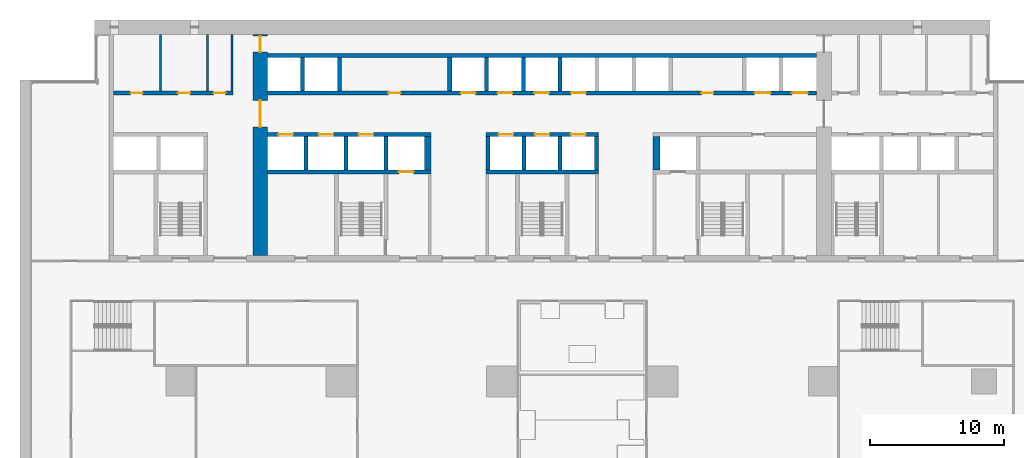
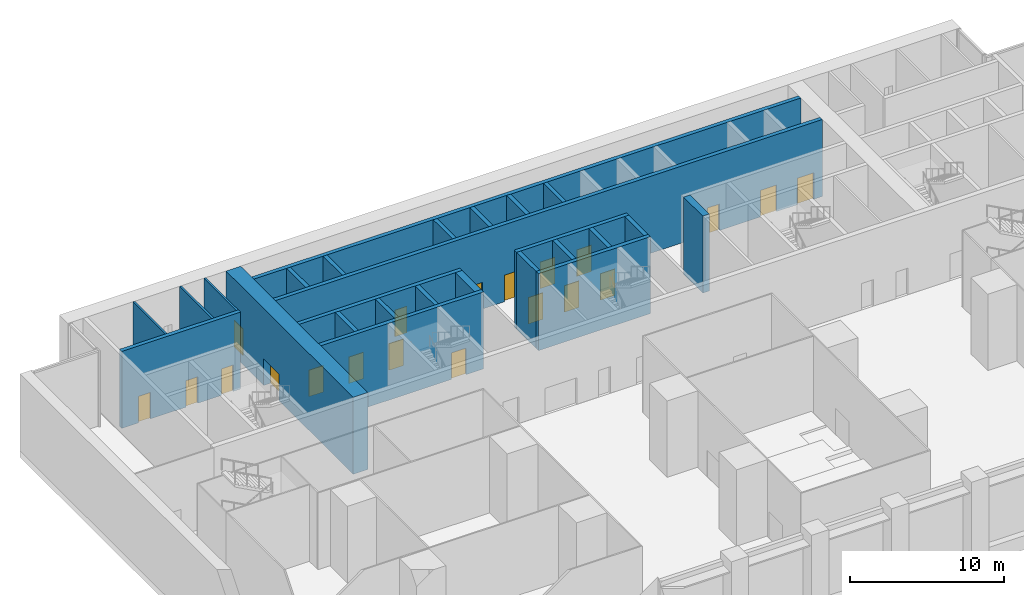
# One storey, part 9 of 18: 26 walls, 20 doors, 20 openings.
"""IFC4 building model written with IfcOpenShell, lengths in metres."""

from ifc_helpers import new_model, si_unit, direction, frame, frame_2d, origin, place, context, subcontext, project, spatial, rectangle, extrude, material, layer, layer_set, type_object, element, fill, save


model = new_model("IFC4")

# Units and contexts
model_context = context("Model", 3, precision=1e-05, world=origin(), true_north=direction((0.0, 1.0)))
body_context = subcontext(model_context, "Body", "Model", "MODEL_VIEW")
ifc_project = project(units=[si_unit("LENGTHUNIT", "METRE"), si_unit("AREAUNIT", "SQUARE_METRE"), si_unit("VOLUMEUNIT", "CUBIC_METRE"), si_unit("PLANEANGLEUNIT", "RADIAN"), si_unit("MASSUNIT", "GRAM", prefix="KILO")], contexts=[model_context])

# Site, building, storey
site_placement = place(None, origin())
site = spatial("IfcSite", under=ifc_project, at=site_placement, CompositionType="ELEMENT")
building_placement = place(site_placement, origin())
building = spatial("IfcBuilding", under=site, at=building_placement, Name="Calvaro Tower", CompositionType="ELEMENT")
storey_placement = place(building_placement, frame((0.0, 0.0, 11.300048828125)))
storey = spatial("IfcBuildingStorey", under=building, at=storey_placement, Name="L02", CompositionType="ELEMENT", Elevation=11.300048828125)

# Walls
ifc_material_1 = material(Name="Blockwork partition", Category="masonry")
ifc_layer_1 = layer(ifc_material_1, 0.14990234375)
ifc_layer_set_1 = layer_set([ifc_layer_1], Name="Blockwork partition")
wall_type_1 = type_object("IfcWallType", Name="Core partition 150 EI 60", PredefinedType="PARTITIONING", material=ifc_layer_set_1)
for number, where, z_axis, x_axis, name in (
    (1, (10.5, 40.699951171875, 0.0), (0.0, 0.0, 1.0), (0.0, 1.0, 0.0), "Core partition"),
    (2, (14.0, 40.699951171875, 0.0), (0.0, 0.0, 1.0), (0.0, 1.0, 0.0), "Core partition"),
):
    element("IfcWall", number, at=place(storey_placement, frame(where, z_axis=z_axis, x_axis=x_axis)), inside=storey, type_object=wall_type_1, Name=name, PredefinedType="PARTITIONING", context=body_context, shape_type="SweptSolid", body=[
        extrude(rectangle(XDim=4.199951171875, YDim=0.14990234375, at=frame_2d((2.10009765625, 0.0))), origin(), (0.0, 0.0, 1.0), 6.099853515625),
    ])
ifc_material_2 = material(Name="Blockwork partition", Category="masonry")
ifc_layer_2 = layer(ifc_material_2, 0.14990234375)
ifc_layer_set_2 = layer_set([ifc_layer_2], Name="Blockwork partition")
wall_type_2 = type_object("IfcWallType", Name="Core partition 150 REI 120", PredefinedType="PARTITIONING", material=ifc_layer_set_2)
wall_1_placement = place(storey_placement, frame((15.824951171875, 40.699951171875, 0.0), z_axis=(0.0, 0.0, 1.0), x_axis=(0.0, 1.0, 0.0)))
element("IfcWall", 3, at=wall_1_placement, inside=storey, type_object=wall_type_2, Name="Core partition", PredefinedType="PARTITIONING", context=body_context, shape_type="SweptSolid", body=[
    extrude(rectangle(XDim=4.199951171875, YDim=0.14990234375, at=frame_2d((2.10009765625, 0.0))), origin(), (0.0, 0.0, 1.0), 6.099853515625),
])

# Wall, openings, doors
ifc_material_3 = material(Name="Blockwork partition", Category="masonry")
ifc_layer_3 = layer(ifc_material_3, 0.300048828125)
ifc_layer_set_3 = layer_set([ifc_layer_3], Name="Blockwork partition")
wall_type_3 = type_object("IfcWallType", Name="Core partition 300 REI 120", PredefinedType="PARTITIONING", material=ifc_layer_set_3)
wall_2_placement = place(storey_placement, frame((7.0, 40.550048828125, 0.0), z_axis=(0.0, 0.0, 1.0), x_axis=(1.0, 0.0, 0.0)))
wall_2 = element("IfcWall", 4, at=wall_2_placement, inside=storey, type_object=wall_type_3, Name="Core partition", PredefinedType="PARTITIONING", context=body_context, shape_type="SweptSolid", body=[
    extrude(rectangle(XDim=8.89990234375, YDim=0.300048828125, at=frame_2d((4.449951171875, 0.0))), origin(), (0.0, 0.0, 1.0), 6.099853515625),
])
opening_1_placement = place(wall_2_placement, frame((1.262451171875, 0.0, 0.0)))
opening_1 = element("IfcOpeningElement", 5, at=opening_1_placement, cuts=wall_2, Name="Opening RD9", PredefinedType="OPENING", context=body_context, shape_type="SweptSolid", body=[
    extrude(rectangle(XDim=0.89990234375, YDim=2.10009765625, at=frame_2d((0.449951171875, 1.050048828125))), frame((0.0, 0.159912109375, 0.0), z_axis=(0.0, -1.0, 0.0), x_axis=(1.0, 0.0, 0.0)), (0.0, 0.0, 1.0), 0.320068359375),
])
opening_2_placement = place(wall_2_placement, frame((4.800048828125, 0.0, 0.0)))
opening_2 = element("IfcOpeningElement", 6, at=opening_2_placement, cuts=wall_2, Name="Opening RD9", PredefinedType="OPENING", context=body_context, shape_type="SweptSolid", body=[
    extrude(rectangle(XDim=0.89990234375, YDim=2.10009765625, at=frame_2d((0.449951171875, 1.050048828125))), frame((0.0, 0.159912109375, 0.0), z_axis=(0.0, -1.0, 0.0), x_axis=(1.0, 0.0, 0.0)), (0.0, 0.0, 1.0), 0.320068359375),
])
opening_3_placement = place(wall_2_placement, frame((7.46240234375, 0.0, 0.0)))
opening_3 = element("IfcOpeningElement", 7, at=opening_3_placement, cuts=wall_2, Name="Opening RD9", PredefinedType="OPENING", context=body_context, shape_type="SweptSolid", body=[
    extrude(rectangle(XDim=0.89990234375, YDim=2.10009765625, at=frame_2d((0.449951171875, 1.050048828125))), frame((0.0, 0.159912109375, 0.0), z_axis=(0.0, -1.0, 0.0), x_axis=(1.0, 0.0, 0.0)), (0.0, 0.0, 1.0), 0.320068359375),
])
ifc_material_4 = material(Name="Steel door set", Category="steel")
door_type_1 = type_object("IfcDoorType", Name="Room door 900", OperationType="SINGLE_SWING_LEFT", PredefinedType="DOOR", material=ifc_material_4)
door_1_placement = place(opening_1_placement, origin())
door_1 = element("IfcDoor", 8, at=door_1_placement, inside=storey, type_object=door_type_1, Name="Room door", OperationType="SINGLE_SWING_LEFT", OverallHeight=2.10009765625, OverallWidth=0.89990234375, PredefinedType="DOOR", context=body_context, shape_type="SweptSolid", body=[
    extrude(rectangle(XDim=0.89990234375, YDim=2.10009765625, at=frame_2d((0.449951171875, 1.050048828125))), frame((0.0, 0.02490234375, 0.0), z_axis=(0.0, -1.0, 0.0), x_axis=(1.0, 0.0, 0.0)), (0.0, 0.0, 1.0), 0.050048828125),
])
fill(opening_1, door_1)
door_2_placement = place(opening_2_placement, origin())
door_2 = element("IfcDoor", 9, at=door_2_placement, inside=storey, type_object=door_type_1, Name="Room door", OperationType="SINGLE_SWING_LEFT", OverallHeight=2.10009765625, OverallWidth=0.89990234375, PredefinedType="DOOR", context=body_context, shape_type="SweptSolid", body=[
    extrude(rectangle(XDim=0.89990234375, YDim=2.10009765625, at=frame_2d((0.449951171875, 1.050048828125))), frame((0.0, 0.02490234375, 0.0), z_axis=(0.0, -1.0, 0.0), x_axis=(1.0, 0.0, 0.0)), (0.0, 0.0, 1.0), 0.050048828125),
])
fill(opening_2, door_2)
door_3_placement = place(opening_3_placement, origin())
door_3 = element("IfcDoor", 10, at=door_3_placement, inside=storey, type_object=door_type_1, Name="Room door", OperationType="SINGLE_SWING_LEFT", OverallHeight=2.10009765625, OverallWidth=0.89990234375, PredefinedType="DOOR", context=body_context, shape_type="SweptSolid", body=[
    extrude(rectangle(XDim=0.89990234375, YDim=2.10009765625, at=frame_2d((0.449951171875, 1.050048828125))), frame((0.0, 0.02490234375, 0.0), z_axis=(0.0, -1.0, 0.0), x_axis=(1.0, 0.0, 0.0)), (0.0, 0.0, 1.0), 0.050048828125),
])
fill(opening_3, door_3)

ifc_material_5 = material(Name="Concrete C80/95", Category="concrete")
ifc_layer_4 = layer(ifc_material_5, 1.10009765625)
ifc_layer_set_4 = layer_set([ifc_layer_4], Name="Concrete C80/95")
wall_type_4 = type_object("IfcWallType", Name="Core wall C80/95 1100", PredefinedType="SHEAR", material=ifc_layer_set_4)
wall_3_placement = place(storey_placement, frame((17.949951171875, 28.39990234375, 0.0), z_axis=(0.0, 0.0, 1.0), x_axis=(0.0, 1.0, 0.0)))
wall_3 = element("IfcWall", 11, at=wall_3_placement, inside=storey, type_object=wall_type_4, Name="Core wall, cross shear wall", PredefinedType="SHEAR", context=body_context, shape_type="SweptSolid", body=[
    extrude(rectangle(XDim=16.5, YDim=1.10009765625, at=frame_2d((8.25, 0.0))), origin(), (0.0, 0.0, 1.0), 6.099853515625),
])
opening_4_placement = place(wall_3_placement, frame((9.60009765625, 0.0, 0.0)))
opening_4 = element("IfcOpeningElement", 12, at=opening_4_placement, cuts=wall_3, Name="Opening DD20D", PredefinedType="OPENING", context=body_context, shape_type="SweptSolid", body=[
    extrude(rectangle(XDim=2.0, YDim=2.10009765625, at=frame_2d((1.0, 1.050048828125))), frame((0.0, 0.56005859375, 0.0), z_axis=(0.0, -1.0, 0.0), x_axis=(1.0, 0.0, 0.0)), (0.0, 0.0, 1.0), 1.1201171875),
])
opening_5_placement = place(wall_3_placement, frame((15.199951171875, 0.0, 0.0)))
opening_5 = element("IfcOpeningElement", 13, at=opening_5_placement, cuts=wall_3, Name="Opening FD12C", PredefinedType="OPENING", context=body_context, shape_type="SweptSolid", body=[
    extrude(rectangle(XDim=1.199951171875, YDim=2.10009765625, at=frame_2d((0.60009765625, 1.050048828125))), frame((0.0, 0.56005859375, 0.0), z_axis=(0.0, -1.0, 0.0), x_axis=(1.0, 0.0, 0.0)), (0.0, 0.0, 1.0), 1.1201171875),
])
ifc_material_6 = material(Name="Steel door set", Category="steel")
door_type_2 = type_object("IfcDoorType", Name="Fire door 1200 FD30", OperationType="SINGLE_SWING_LEFT", PredefinedType="DOOR", material=ifc_material_6)
door_4_placement = place(opening_5_placement, origin())
door_4 = element("IfcDoor", 14, at=door_4_placement, inside=storey, type_object=door_type_2, Name="Fire door", OperationType="SINGLE_SWING_RIGHT", OverallHeight=2.10009765625, OverallWidth=1.199951171875, PredefinedType="DOOR", context=body_context, shape_type="SweptSolid", body=[
    extrude(rectangle(XDim=1.199951171875, YDim=2.10009765625, at=frame_2d((0.60009765625, 1.050048828125))), frame((0.0, 0.02490234375, 0.0), z_axis=(0.0, -1.0, 0.0), x_axis=(1.0, 0.0, 0.0)), (0.0, 0.0, 1.0), 0.050048828125),
])
fill(opening_5, door_4)
ifc_material_7 = material(Name="Steel door set", Category="steel")
door_type_3 = type_object("IfcDoorType", Name="Lobby double door 2000 FD30S", OperationType="DOUBLE_DOOR_SINGLE_SWING", PredefinedType="DOOR", material=ifc_material_7)
door_5_placement = place(opening_4_placement, origin())
door_5 = element("IfcDoor", 15, at=door_5_placement, inside=storey, type_object=door_type_3, Name="Lobby double door", OperationType="DOUBLE_DOOR_SINGLE_SWING", OverallHeight=2.10009765625, OverallWidth=2.0, PredefinedType="DOOR", context=body_context, shape_type="SweptSolid", body=[
    extrude(rectangle(XDim=2.0, YDim=2.10009765625, at=frame_2d((1.0, 1.050048828125))), frame((0.0, 0.02490234375, 0.0), z_axis=(0.0, -1.0, 0.0), x_axis=(1.0, 0.0, 0.0)), (0.0, 0.0, 1.0), 0.050048828125),
])
fill(opening_4, door_5)

# Wall, opening, door
ifc_material_8 = material(Name="Concrete C80/95", Category="concrete")
ifc_layer_5 = layer(ifc_material_8, 0.300048828125)
ifc_layer_set_5 = layer_set([ifc_layer_5], Name="Concrete C80/95")
wall_type_5 = type_object("IfcWallType", Name="Core wall C80/95 300", PredefinedType="SHEAR", material=ifc_layer_set_5)
wall_4_placement = place(storey_placement, frame((18.5, 34.64990234375, 0.0), z_axis=(0.0, 0.0, 1.0), x_axis=(1.0, 0.0, 0.0)))
wall_4 = element("IfcWall", 16, at=wall_4_placement, inside=storey, type_object=wall_type_5, Name="Core wall, lift shaft", PredefinedType="SHEAR", context=body_context, shape_type="SweptSolid", body=[
    extrude(rectangle(XDim=12.199951171875, YDim=0.300048828125, at=frame_2d((6.10009765625, 0.0))), origin(), (0.0, 0.0, 1.0), 6.099853515625),
])
opening_6_placement = place(wall_4_placement, frame((9.800048828125, 0.0, 0.0)))
opening_6 = element("IfcOpeningElement", 17, at=opening_6_placement, cuts=wall_4, Name="Opening FF1", PredefinedType="OPENING", context=body_context, shape_type="SweptSolid", body=[
    extrude(rectangle(XDim=1.10009765625, YDim=2.10009765625, at=frame_2d((0.550048828125, 1.050048828125))), frame((0.0, 0.159912109375, 0.0), z_axis=(0.0, -1.0, 0.0), x_axis=(1.0, 0.0, 0.0)), (0.0, 0.0, 1.0), 0.320068359375),
])
ifc_material_9 = material(Name="Stainless steel", Category="steel")
door_type_4 = type_object("IfcDoorType", Name="Landing door 1100 E 60", OperationType="SLIDING_TO_LEFT", PredefinedType="DOOR", material=ifc_material_9)
door_6_placement = place(opening_6_placement, origin())
door_6 = element("IfcDoor", 18, at=door_6_placement, inside=storey, type_object=door_type_4, Name="Landing door FF1", OperationType="SLIDING_TO_LEFT", OverallHeight=2.10009765625, OverallWidth=1.10009765625, PredefinedType="DOOR", context=body_context, shape_type="SweptSolid", body=[
    extrude(rectangle(XDim=1.10009765625, YDim=2.10009765625, at=frame_2d((0.550048828125, 1.050048828125))), frame((0.0, 0.02490234375, 0.0), z_axis=(0.0, -1.0, 0.0), x_axis=(1.0, 0.0, 0.0)), (0.0, 0.0, 1.0), 0.050048828125),
])
fill(opening_6, door_6)

# Wall
wall_5_placement = place(storey_placement, frame((34.800048828125, 34.64990234375, 0.0), z_axis=(0.0, 0.0, 1.0), x_axis=(1.0, 0.0, 0.0)))
element("IfcWall", 19, at=wall_5_placement, inside=storey, type_object=wall_type_5, Name="Core wall, lift shaft", PredefinedType="SHEAR", context=body_context, shape_type="SweptSolid", body=[
    extrude(rectangle(XDim=8.39990234375, YDim=0.300048828125, at=frame_2d((4.199951171875, 0.0))), origin(), (0.0, 0.0, 1.0), 6.099853515625),
])

# Wall, openings, doors
wall_6_placement = place(storey_placement, frame((18.5, 37.449951171875, 0.0), z_axis=(0.0, 0.0, 1.0), x_axis=(1.0, 0.0, 0.0)))
wall_6 = element("IfcWall", 20, at=wall_6_placement, inside=storey, type_object=wall_type_5, Name="Core wall, lift shaft", PredefinedType="SHEAR", context=body_context, shape_type="SweptSolid", body=[
    extrude(rectangle(XDim=12.199951171875, YDim=0.300048828125, at=frame_2d((6.10009765625, 0.0))), origin(), (0.0, 0.0, 1.0), 6.099853515625),
])
opening_7_placement = place(wall_6_placement, frame((0.800048828125, 0.0, 0.0)))
opening_7 = element("IfcOpeningElement", 21, at=opening_7_placement, cuts=wall_6, Name="Opening LR1", PredefinedType="OPENING", context=body_context, shape_type="SweptSolid", body=[
    extrude(rectangle(XDim=1.10009765625, YDim=2.10009765625, at=frame_2d((0.550048828125, 1.050048828125))), frame((0.0, 0.159912109375, 0.0), z_axis=(0.0, -1.0, 0.0), x_axis=(1.0, 0.0, 0.0)), (0.0, 0.0, 1.0), 0.320068359375),
])
opening_8_placement = place(wall_6_placement, frame((3.800048828125, 0.0, 0.0)))
opening_8 = element("IfcOpeningElement", 22, at=opening_8_placement, cuts=wall_6, Name="Opening LR2", PredefinedType="OPENING", context=body_context, shape_type="SweptSolid", body=[
    extrude(rectangle(XDim=1.10009765625, YDim=2.10009765625, at=frame_2d((0.550048828125, 1.050048828125))), frame((0.0, 0.159912109375, 0.0), z_axis=(0.0, -1.0, 0.0), x_axis=(1.0, 0.0, 0.0)), (0.0, 0.0, 1.0), 0.320068359375),
])
opening_9_placement = place(wall_6_placement, frame((6.800048828125, 0.0, 0.0)))
opening_9 = element("IfcOpeningElement", 23, at=opening_9_placement, cuts=wall_6, Name="Opening LR3", PredefinedType="OPENING", context=body_context, shape_type="SweptSolid", body=[
    extrude(rectangle(XDim=1.10009765625, YDim=2.10009765625, at=frame_2d((0.550048828125, 1.050048828125))), frame((0.0, 0.159912109375, 0.0), z_axis=(0.0, -1.0, 0.0), x_axis=(1.0, 0.0, 0.0)), (0.0, 0.0, 1.0), 0.320068359375),
])
door_7_placement = place(opening_7_placement, origin())
door_7 = element("IfcDoor", 24, at=door_7_placement, inside=storey, type_object=door_type_4, Name="Landing door LR1", OperationType="SLIDING_TO_LEFT", OverallHeight=2.10009765625, OverallWidth=1.10009765625, PredefinedType="DOOR", context=body_context, shape_type="SweptSolid", body=[
    extrude(rectangle(XDim=1.10009765625, YDim=2.10009765625, at=frame_2d((0.550048828125, 1.050048828125))), frame((0.0, 0.02490234375, 0.0), z_axis=(0.0, -1.0, 0.0), x_axis=(1.0, 0.0, 0.0)), (0.0, 0.0, 1.0), 0.050048828125),
])
fill(opening_7, door_7)
door_8_placement = place(opening_8_placement, origin())
door_8 = element("IfcDoor", 25, at=door_8_placement, inside=storey, type_object=door_type_4, Name="Landing door LR2", OperationType="SLIDING_TO_LEFT", OverallHeight=2.10009765625, OverallWidth=1.10009765625, PredefinedType="DOOR", context=body_context, shape_type="SweptSolid", body=[
    extrude(rectangle(XDim=1.10009765625, YDim=2.10009765625, at=frame_2d((0.550048828125, 1.050048828125))), frame((0.0, 0.02490234375, 0.0), z_axis=(0.0, -1.0, 0.0), x_axis=(1.0, 0.0, 0.0)), (0.0, 0.0, 1.0), 0.050048828125),
])
fill(opening_8, door_8)
door_9_placement = place(opening_9_placement, origin())
door_9 = element("IfcDoor", 26, at=door_9_placement, inside=storey, type_object=door_type_4, Name="Landing door LR3", OperationType="SLIDING_TO_LEFT", OverallHeight=2.10009765625, OverallWidth=1.10009765625, PredefinedType="DOOR", context=body_context, shape_type="SweptSolid", body=[
    extrude(rectangle(XDim=1.10009765625, YDim=2.10009765625, at=frame_2d((0.550048828125, 1.050048828125))), frame((0.0, 0.02490234375, 0.0), z_axis=(0.0, -1.0, 0.0), x_axis=(1.0, 0.0, 0.0)), (0.0, 0.0, 1.0), 0.050048828125),
])
fill(opening_9, door_9)

wall_7_placement = place(storey_placement, frame((34.800048828125, 37.449951171875, 0.0), z_axis=(0.0, 0.0, 1.0), x_axis=(1.0, 0.0, 0.0)))
wall_7 = element("IfcWall", 27, at=wall_7_placement, inside=storey, type_object=wall_type_5, Name="Core wall, lift shaft", PredefinedType="SHEAR", context=body_context, shape_type="SweptSolid", body=[
    extrude(rectangle(XDim=8.39990234375, YDim=0.300048828125, at=frame_2d((4.199951171875, 0.0))), origin(), (0.0, 0.0, 1.0), 6.099853515625),
])
opening_10_placement = place(wall_7_placement, frame((0.949951171875, 0.0, 0.0)))
opening_10 = element("IfcOpeningElement", 28, at=opening_10_placement, cuts=wall_7, Name="Opening LR4", PredefinedType="OPENING", context=body_context, shape_type="SweptSolid", body=[
    extrude(rectangle(XDim=1.10009765625, YDim=2.10009765625, at=frame_2d((0.550048828125, 1.050048828125))), frame((0.0, 0.159912109375, 0.0), z_axis=(0.0, -1.0, 0.0), x_axis=(1.0, 0.0, 0.0)), (0.0, 0.0, 1.0), 0.320068359375),
])
opening_11_placement = place(wall_7_placement, frame((3.64990234375, 0.0, 0.0)))
opening_11 = element("IfcOpeningElement", 29, at=opening_11_placement, cuts=wall_7, Name="Opening LR5", PredefinedType="OPENING", context=body_context, shape_type="SweptSolid", body=[
    extrude(rectangle(XDim=1.10009765625, YDim=2.10009765625, at=frame_2d((0.550048828125, 1.050048828125))), frame((0.0, 0.159912109375, 0.0), z_axis=(0.0, -1.0, 0.0), x_axis=(1.0, 0.0, 0.0)), (0.0, 0.0, 1.0), 0.320068359375),
])
opening_12_placement = place(wall_7_placement, frame((6.35009765625, 0.0, 0.0)))
opening_12 = element("IfcOpeningElement", 30, at=opening_12_placement, cuts=wall_7, Name="Opening LR6", PredefinedType="OPENING", context=body_context, shape_type="SweptSolid", body=[
    extrude(rectangle(XDim=1.10009765625, YDim=2.10009765625, at=frame_2d((0.550048828125, 1.050048828125))), frame((0.0, 0.159912109375, 0.0), z_axis=(0.0, -1.0, 0.0), x_axis=(1.0, 0.0, 0.0)), (0.0, 0.0, 1.0), 0.320068359375),
])
door_10_placement = place(opening_10_placement, origin())
door_10 = element("IfcDoor", 31, at=door_10_placement, inside=storey, type_object=door_type_4, Name="Landing door LR4", OperationType="SLIDING_TO_LEFT", OverallHeight=2.10009765625, OverallWidth=1.10009765625, PredefinedType="DOOR", context=body_context, shape_type="SweptSolid", body=[
    extrude(rectangle(XDim=1.10009765625, YDim=2.10009765625, at=frame_2d((0.550048828125, 1.050048828125))), frame((0.0, 0.02490234375, 0.0), z_axis=(0.0, -1.0, 0.0), x_axis=(1.0, 0.0, 0.0)), (0.0, 0.0, 1.0), 0.050048828125),
])
fill(opening_10, door_10)
door_11_placement = place(opening_11_placement, origin())
door_11 = element("IfcDoor", 32, at=door_11_placement, inside=storey, type_object=door_type_4, Name="Landing door LR5", OperationType="SLIDING_TO_LEFT", OverallHeight=2.10009765625, OverallWidth=1.10009765625, PredefinedType="DOOR", context=body_context, shape_type="SweptSolid", body=[
    extrude(rectangle(XDim=1.10009765625, YDim=2.10009765625, at=frame_2d((0.550048828125, 1.050048828125))), frame((0.0, 0.02490234375, 0.0), z_axis=(0.0, -1.0, 0.0), x_axis=(1.0, 0.0, 0.0)), (0.0, 0.0, 1.0), 0.050048828125),
])
fill(opening_11, door_11)
door_12_placement = place(opening_12_placement, origin())
door_12 = element("IfcDoor", 33, at=door_12_placement, inside=storey, type_object=door_type_4, Name="Landing door LR6", OperationType="SLIDING_TO_LEFT", OverallHeight=2.10009765625, OverallWidth=1.10009765625, PredefinedType="DOOR", context=body_context, shape_type="SweptSolid", body=[
    extrude(rectangle(XDim=1.10009765625, YDim=2.10009765625, at=frame_2d((0.550048828125, 1.050048828125))), frame((0.0, 0.02490234375, 0.0), z_axis=(0.0, -1.0, 0.0), x_axis=(1.0, 0.0, 0.0)), (0.0, 0.0, 1.0), 0.050048828125),
])
fill(opening_12, door_12)

# Walls
for number, where, z_axis, x_axis, name in (
    (34, (27.35009765625, 34.800048828125, 0.0), (0.0, 0.0, 1.0), (0.0, 1.0, 0.0), "Core wall, lift shaft"),
    (35, (34.949951171875, 34.800048828125, 0.0), (0.0, 0.0, 1.0), (0.0, 1.0, 0.0), "Core wall, lift shaft"),
    (36, (43.050048828125, 34.800048828125, 0.0), (0.0, 0.0, 1.0), (0.0, 1.0, 0.0), "Core wall, lift shaft"),
):
    element("IfcWall", number, at=place(storey_placement, frame(where, z_axis=z_axis, x_axis=x_axis)), inside=storey, type_object=wall_type_5, Name=name, PredefinedType="SHEAR", context=body_context, shape_type="SweptSolid", body=[
        extrude(rectangle(XDim=2.5, YDim=0.300048828125, at=frame_2d((1.25, 0.0))), origin(), (0.0, 0.0, 1.0), 6.099853515625),
    ])

# Wall, openings, doors
wall_8_placement = place(storey_placement, frame((18.5, 40.550048828125, 0.0), z_axis=(0.0, 0.0, 1.0), x_axis=(1.0, 0.0, 0.0)))
wall_8 = element("IfcWall", 37, at=wall_8_placement, inside=storey, type_object=wall_type_5, Name="Core wall, bay", PredefinedType="SHEAR", context=body_context, shape_type="SweptSolid", body=[
    extrude(rectangle(XDim=41.0, YDim=0.300048828125, at=frame_2d((20.5, 0.0))), origin(), (0.0, 0.0, 1.0), 6.099853515625),
])
opening_13_placement = place(wall_8_placement, frame((9.02490234375, 0.0, 0.0)))
opening_13 = element("IfcOpeningElement", 38, at=opening_13_placement, cuts=wall_8, Name="Opening RD9C", PredefinedType="OPENING", context=body_context, shape_type="SweptSolid", body=[
    extrude(rectangle(XDim=0.89990234375, YDim=2.10009765625, at=frame_2d((0.449951171875, 1.050048828125))), frame((0.0, 0.159912109375, 0.0), z_axis=(0.0, -1.0, 0.0), x_axis=(1.0, 0.0, 0.0)), (0.0, 0.0, 1.0), 0.320068359375),
])
opening_14_placement = place(wall_8_placement, frame((32.39990234375, 0.0, 0.0)))
opening_14 = element("IfcOpeningElement", 39, at=opening_14_placement, cuts=wall_8, Name="Opening RD9C", PredefinedType="OPENING", context=body_context, shape_type="SweptSolid", body=[
    extrude(rectangle(XDim=0.89990234375, YDim=2.10009765625, at=frame_2d((0.449951171875, 1.050048828125))), frame((0.0, 0.159912109375, 0.0), z_axis=(0.0, -1.0, 0.0), x_axis=(1.0, 0.0, 0.0)), (0.0, 0.0, 1.0), 0.320068359375),
])
opening_15_placement = place(wall_8_placement, frame((14.425048828125, 0.0, 0.0)))
opening_15 = element("IfcOpeningElement", 40, at=opening_15_placement, cuts=wall_8, Name="Opening LR7", PredefinedType="OPENING", context=body_context, shape_type="SweptSolid", body=[
    extrude(rectangle(XDim=1.10009765625, YDim=2.10009765625, at=frame_2d((0.550048828125, 1.050048828125))), frame((0.0, 0.159912109375, 0.0), z_axis=(0.0, -1.0, 0.0), x_axis=(1.0, 0.0, 0.0)), (0.0, 0.0, 1.0), 0.320068359375),
])
opening_16_placement = place(wall_8_placement, frame((17.175048828125, 0.0, 0.0)))
opening_16 = element("IfcOpeningElement", 41, at=opening_16_placement, cuts=wall_8, Name="Opening LR8", PredefinedType="OPENING", context=body_context, shape_type="SweptSolid", body=[
    extrude(rectangle(XDim=1.10009765625, YDim=2.10009765625, at=frame_2d((0.550048828125, 1.050048828125))), frame((0.0, 0.159912109375, 0.0), z_axis=(0.0, -1.0, 0.0), x_axis=(1.0, 0.0, 0.0)), (0.0, 0.0, 1.0), 0.320068359375),
])
opening_17_placement = place(wall_8_placement, frame((19.925048828125, 0.0, 0.0)))
opening_17 = element("IfcOpeningElement", 42, at=opening_17_placement, cuts=wall_8, Name="Opening LR9", PredefinedType="OPENING", context=body_context, shape_type="SweptSolid", body=[
    extrude(rectangle(XDim=1.10009765625, YDim=2.10009765625, at=frame_2d((0.550048828125, 1.050048828125))), frame((0.0, 0.159912109375, 0.0), z_axis=(0.0, -1.0, 0.0), x_axis=(1.0, 0.0, 0.0)), (0.0, 0.0, 1.0), 0.320068359375),
])
opening_18_placement = place(wall_8_placement, frame((22.675048828125, 0.0, 0.0)))
opening_18 = element("IfcOpeningElement", 43, at=opening_18_placement, cuts=wall_8, Name="Opening LR10", PredefinedType="OPENING", context=body_context, shape_type="SweptSolid", body=[
    extrude(rectangle(XDim=1.10009765625, YDim=2.10009765625, at=frame_2d((0.550048828125, 1.050048828125))), frame((0.0, 0.159912109375, 0.0), z_axis=(0.0, -1.0, 0.0), x_axis=(1.0, 0.0, 0.0)), (0.0, 0.0, 1.0), 0.320068359375),
])
opening_19_placement = place(wall_8_placement, frame((36.375, 0.0, 0.0)))
opening_19 = element("IfcOpeningElement", 44, at=opening_19_placement, cuts=wall_8, Name="Opening SV1", PredefinedType="OPENING", context=body_context, shape_type="SweptSolid", body=[
    extrude(rectangle(XDim=1.199951171875, YDim=2.10009765625, at=frame_2d((0.60009765625, 1.050048828125))), frame((0.0, 0.159912109375, 0.0), z_axis=(0.0, -1.0, 0.0), x_axis=(1.0, 0.0, 0.0)), (0.0, 0.0, 1.0), 0.320068359375),
])
opening_20_placement = place(wall_8_placement, frame((39.14990234375, 0.0, 0.0)))
opening_20 = element("IfcOpeningElement", 45, at=opening_20_placement, cuts=wall_8, Name="Opening SV2", PredefinedType="OPENING", context=body_context, shape_type="SweptSolid", body=[
    extrude(rectangle(XDim=1.199951171875, YDim=2.10009765625, at=frame_2d((0.60009765625, 1.050048828125))), frame((0.0, 0.159912109375, 0.0), z_axis=(0.0, -1.0, 0.0), x_axis=(1.0, 0.0, 0.0)), (0.0, 0.0, 1.0), 0.320068359375),
])
door_13_placement = place(opening_15_placement, origin())
door_13 = element("IfcDoor", 46, at=door_13_placement, inside=storey, type_object=door_type_4, Name="Landing door LR7", OperationType="SLIDING_TO_LEFT", OverallHeight=2.10009765625, OverallWidth=1.10009765625, PredefinedType="DOOR", context=body_context, shape_type="SweptSolid", body=[
    extrude(rectangle(XDim=1.10009765625, YDim=2.10009765625, at=frame_2d((0.550048828125, 1.050048828125))), frame((0.0, 0.02490234375, 0.0), z_axis=(0.0, -1.0, 0.0), x_axis=(1.0, 0.0, 0.0)), (0.0, 0.0, 1.0), 0.050048828125),
])
fill(opening_15, door_13)
door_14_placement = place(opening_16_placement, origin())
door_14 = element("IfcDoor", 47, at=door_14_placement, inside=storey, type_object=door_type_4, Name="Landing door LR8", OperationType="SLIDING_TO_LEFT", OverallHeight=2.10009765625, OverallWidth=1.10009765625, PredefinedType="DOOR", context=body_context, shape_type="SweptSolid", body=[
    extrude(rectangle(XDim=1.10009765625, YDim=2.10009765625, at=frame_2d((0.550048828125, 1.050048828125))), frame((0.0, 0.02490234375, 0.0), z_axis=(0.0, -1.0, 0.0), x_axis=(1.0, 0.0, 0.0)), (0.0, 0.0, 1.0), 0.050048828125),
])
fill(opening_16, door_14)
door_15_placement = place(opening_17_placement, origin())
door_15 = element("IfcDoor", 48, at=door_15_placement, inside=storey, type_object=door_type_4, Name="Landing door LR9", OperationType="SLIDING_TO_LEFT", OverallHeight=2.10009765625, OverallWidth=1.10009765625, PredefinedType="DOOR", context=body_context, shape_type="SweptSolid", body=[
    extrude(rectangle(XDim=1.10009765625, YDim=2.10009765625, at=frame_2d((0.550048828125, 1.050048828125))), frame((0.0, 0.02490234375, 0.0), z_axis=(0.0, -1.0, 0.0), x_axis=(1.0, 0.0, 0.0)), (0.0, 0.0, 1.0), 0.050048828125),
])
fill(opening_17, door_15)
door_16_placement = place(opening_18_placement, origin())
door_16 = element("IfcDoor", 49, at=door_16_placement, inside=storey, type_object=door_type_4, Name="Landing door LR10", OperationType="SLIDING_TO_LEFT", OverallHeight=2.10009765625, OverallWidth=1.10009765625, PredefinedType="DOOR", context=body_context, shape_type="SweptSolid", body=[
    extrude(rectangle(XDim=1.10009765625, YDim=2.10009765625, at=frame_2d((0.550048828125, 1.050048828125))), frame((0.0, 0.02490234375, 0.0), z_axis=(0.0, -1.0, 0.0), x_axis=(1.0, 0.0, 0.0)), (0.0, 0.0, 1.0), 0.050048828125),
])
fill(opening_18, door_16)
ifc_material_10 = material(Name="Stainless steel", Category="steel")
door_type_5 = type_object("IfcDoorType", Name="Landing door 1200 E 60", OperationType="SLIDING_TO_LEFT", PredefinedType="DOOR", material=ifc_material_10)
door_17_placement = place(opening_19_placement, origin())
door_17 = element("IfcDoor", 50, at=door_17_placement, inside=storey, type_object=door_type_5, Name="Landing door SV1", OperationType="SLIDING_TO_LEFT", OverallHeight=2.10009765625, OverallWidth=1.199951171875, PredefinedType="DOOR", context=body_context, shape_type="SweptSolid", body=[
    extrude(rectangle(XDim=1.199951171875, YDim=2.10009765625, at=frame_2d((0.60009765625, 1.050048828125))), frame((0.0, 0.02490234375, 0.0), z_axis=(0.0, -1.0, 0.0), x_axis=(1.0, 0.0, 0.0)), (0.0, 0.0, 1.0), 0.050048828125),
])
fill(opening_19, door_17)
door_18_placement = place(opening_20_placement, origin())
door_18 = element("IfcDoor", 51, at=door_18_placement, inside=storey, type_object=door_type_5, Name="Landing door SV2", OperationType="SLIDING_TO_LEFT", OverallHeight=2.10009765625, OverallWidth=1.199951171875, PredefinedType="DOOR", context=body_context, shape_type="SweptSolid", body=[
    extrude(rectangle(XDim=1.199951171875, YDim=2.10009765625, at=frame_2d((0.60009765625, 1.050048828125))), frame((0.0, 0.02490234375, 0.0), z_axis=(0.0, -1.0, 0.0), x_axis=(1.0, 0.0, 0.0)), (0.0, 0.0, 1.0), 0.050048828125),
])
fill(opening_20, door_18)
ifc_material_11 = material(Name="Steel door set", Category="steel")
door_type_6 = type_object("IfcDoorType", Name="Room door 900 FD30", OperationType="SINGLE_SWING_LEFT", PredefinedType="DOOR", material=ifc_material_11)
door_19_placement = place(opening_13_placement, origin())
door_19 = element("IfcDoor", 52, at=door_19_placement, inside=storey, type_object=door_type_6, Name="Room door", OperationType="SINGLE_SWING_RIGHT", OverallHeight=2.10009765625, OverallWidth=0.89990234375, PredefinedType="DOOR", context=body_context, shape_type="SweptSolid", body=[
    extrude(rectangle(XDim=0.89990234375, YDim=2.10009765625, at=frame_2d((0.449951171875, 1.050048828125))), frame((0.0, 0.02490234375, 0.0), z_axis=(0.0, -1.0, 0.0), x_axis=(1.0, 0.0, 0.0)), (0.0, 0.0, 1.0), 0.050048828125),
])
fill(opening_13, door_19)
door_20_placement = place(opening_14_placement, origin())
door_20 = element("IfcDoor", 53, at=door_20_placement, inside=storey, type_object=door_type_6, Name="Room door", OperationType="SINGLE_SWING_LEFT", OverallHeight=2.10009765625, OverallWidth=0.89990234375, PredefinedType="DOOR", context=body_context, shape_type="SweptSolid", body=[
    extrude(rectangle(XDim=0.89990234375, YDim=2.10009765625, at=frame_2d((0.449951171875, 1.050048828125))), frame((0.0, 0.02490234375, 0.0), z_axis=(0.0, -1.0, 0.0), x_axis=(1.0, 0.0, 0.0)), (0.0, 0.0, 1.0), 0.050048828125),
])
fill(opening_14, door_20)

# Walls
wall_9_placement = place(storey_placement, frame((18.5, 43.35009765625, 0.0), z_axis=(0.0, 0.0, 1.0), x_axis=(1.0, 0.0, 0.0)))
element("IfcWall", 54, at=wall_9_placement, inside=storey, type_object=wall_type_5, Name="Core wall, lift shaft", PredefinedType="SHEAR", context=body_context, shape_type="SweptSolid", body=[
    extrude(rectangle(XDim=41.0, YDim=0.300048828125, at=frame_2d((20.5, 0.0))), origin(), (0.0, 0.0, 1.0), 6.099853515625),
])
for number, where, z_axis, x_axis, name in (
    (55, (21.35009765625, 34.800048828125, 0.0), (0.0, 0.0, 1.0), (0.0, 1.0, 0.0), "Core wall, lift shaft"),
    (56, (24.35009765625, 34.800048828125, 0.0), (0.0, 0.0, 1.0), (0.0, 1.0, 0.0), "Core wall, lift shaft"),
    (57, (37.64990234375, 34.800048828125, 0.0), (0.0, 0.0, 1.0), (0.0, 1.0, 0.0), "Core wall, lift shaft"),
    (58, (40.35009765625, 34.800048828125, 0.0), (0.0, 0.0, 1.0), (0.0, 1.0, 0.0), "Core wall, lift shaft"),
    (59, (21.10009765625, 40.699951171875, 0.0), (0.0, 0.0, 1.0), (0.0, 1.0, 0.0), "Core wall, lift shaft"),
    (60, (23.85009765625, 40.699951171875, 0.0), (0.0, 0.0, 1.0), (0.0, 1.0, 0.0), "Core wall, lift shaft"),
    (61, (32.10009765625, 40.699951171875, 0.0), (0.0, 0.0, 1.0), (0.0, 1.0, 0.0), "Core wall, lift shaft"),
    (62, (34.85009765625, 40.699951171875, 0.0), (0.0, 0.0, 1.0), (0.0, 1.0, 0.0), "Core wall, lift shaft"),
    (63, (37.60009765625, 40.699951171875, 0.0), (0.0, 0.0, 1.0), (0.0, 1.0, 0.0), "Core wall, lift shaft"),
    (64, (40.35009765625, 40.699951171875, 0.0), (0.0, 0.0, 1.0), (0.0, 1.0, 0.0), "Core wall, lift shaft"),
):
    element("IfcWall", number, at=place(storey_placement, frame(where, z_axis=z_axis, x_axis=x_axis)), inside=storey, type_object=wall_type_5, Name=name, PredefinedType="SHEAR", context=body_context, shape_type="SweptSolid", body=[
        extrude(rectangle(XDim=2.5, YDim=0.300048828125, at=frame_2d((1.25, 0.0))), origin(), (0.0, 0.0, 1.0), 6.099853515625),
    ])
ifc_material_12 = material(Name="Concrete C80/95", Category="concrete")
ifc_layer_6 = layer(ifc_material_12, 0.5)
ifc_layer_set_6 = layer_set([ifc_layer_6], Name="Concrete C80/95")
wall_type_6 = type_object("IfcWallType", Name="Core wall C80/95 500", PredefinedType="SHEAR", material=ifc_layer_set_6)
for number, where, z_axis, x_axis, name in (
    (65, (30.449951171875, 34.800048828125, 0.0), (0.0, 0.0, 1.0), (0.0, 1.0, 0.0), "Core wall, lift shaft"),
    (66, (47.550048828125, 34.800048828125, 0.0), (0.0, 0.0, 1.0), (0.0, 1.0, 0.0), "Core wall, lift shaft"),
):
    element("IfcWall", number, at=place(storey_placement, frame(where, z_axis=z_axis, x_axis=x_axis)), inside=storey, type_object=wall_type_6, Name=name, PredefinedType="SHEAR", context=body_context, shape_type="SweptSolid", body=[
        extrude(rectangle(XDim=2.5, YDim=0.5, at=frame_2d((1.25, 0.0))), origin(), (0.0, 0.0, 1.0), 6.099853515625),
    ])

save(model, "model.ifc")
